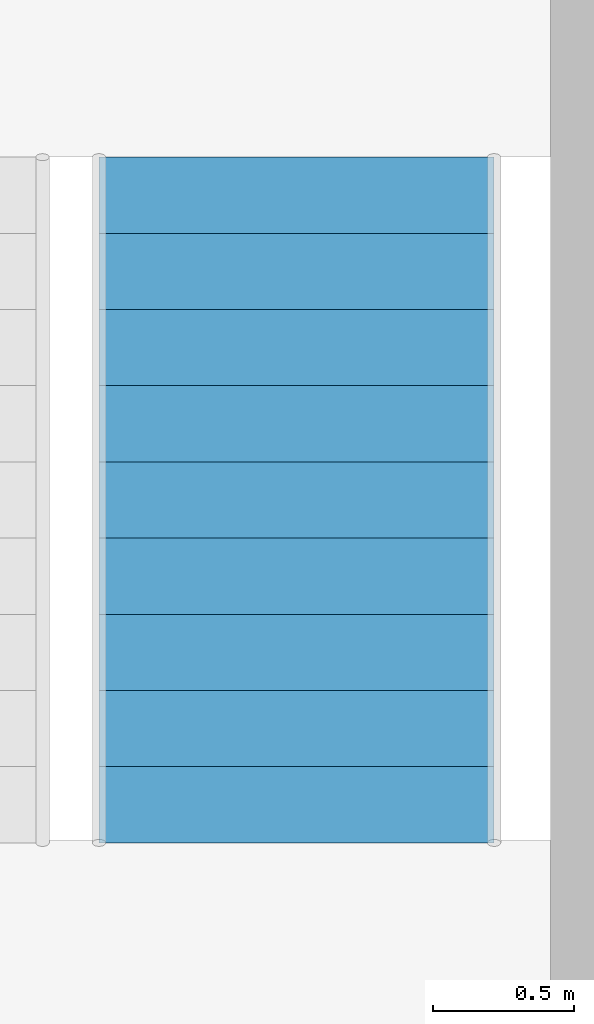
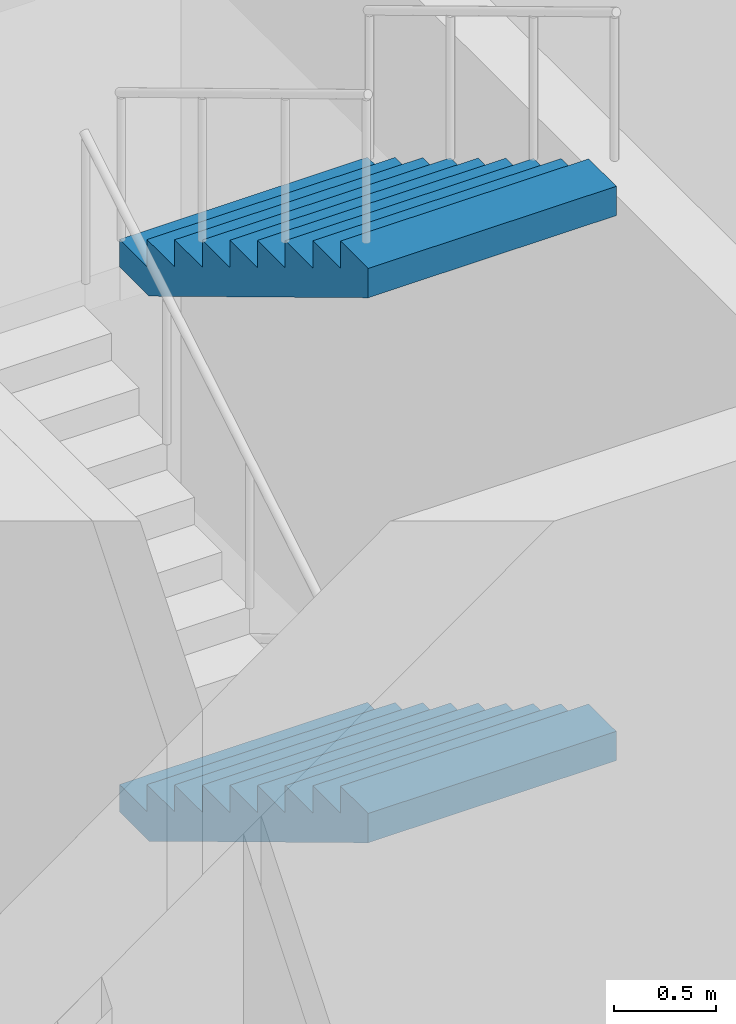
# One storey, part 12 of 16: 2 stair flights, 1 element without a shape of its own.
"""IFC4 building model written with IfcOpenShell, lengths in metres."""

from ifc_helpers import new_model, si_unit, direction, frame, origin, place, context, subcontext, project, spatial, polyline, outline, extrude, material, type_object, element, aggregate, save


model = new_model("IFC4")

# Units and contexts
model_context = context("Model", 3, precision=1e-05, world=origin(), true_north=direction((0.0, 1.0)))
body_context = subcontext(model_context, "Body", "Model", "MODEL_VIEW")
ifc_project = project(units=[si_unit("LENGTHUNIT", "METRE"), si_unit("AREAUNIT", "SQUARE_METRE"), si_unit("VOLUMEUNIT", "CUBIC_METRE"), si_unit("PLANEANGLEUNIT", "RADIAN"), si_unit("MASSUNIT", "GRAM", prefix="KILO")], contexts=[model_context])

# Site, building, storey
site_placement = place(None, origin())
site = spatial("IfcSite", under=ifc_project, at=site_placement, CompositionType="ELEMENT")
building_placement = place(site_placement, origin())
building = spatial("IfcBuilding", under=site, at=building_placement, Name="Calvaro Tower", CompositionType="ELEMENT")
storey_placement = place(building_placement, origin())
storey = spatial("IfcBuildingStorey", under=building, at=storey_placement, Name="L00", CompositionType="ELEMENT", Elevation=0.0)

# Stair, stair flights
ifc_material_1 = material(Name="Concrete C40/50", Category="concrete")
stair_type = type_object("IfcStairType", Name="Exit stair 1400 4 flights", PredefinedType="DOUBLE_RETURN_STAIR", material=ifc_material_1)
stair_placement = place(storey_placement, origin())
stair = element("IfcStair", 1, at=stair_placement, inside=storey, type_object=stair_type, Name="Exit stair S5", PredefinedType="DOUBLE_RETURN_STAIR")
ifc_material_2 = material(Name="Concrete C40/50", Category="concrete")
stair_flight_type = type_object("IfcStairFlightType", Name="Stair flight", PredefinedType="STRAIGHT", material=ifc_material_2)
stair_flight_1_placement = place(storey_placement, frame((63.300048828125, 32.330078125, 1.625), z_axis=(0.0, 0.0, 1.0), x_axis=(0.0, -1.0, 0.0)))
stair_flight_1 = element("IfcStairFlight", 2, at=stair_flight_1_placement, type_object=stair_flight_type, Name="Exit stair 5, flight 2", NumberOfRisers=10, NumberOfTreads=9, PredefinedType="STRAIGHT", RiserHeight=0.1625, TreadLength=0.27, context=body_context, shape_type="SweptSolid", body=[
    extrude(outline(polyline([(0.0, 0.0), (0.0, 0.16259765625), (0.27001953125, 0.16259765625), (0.27001953125, 0.324951171875), (0.5400390625, 0.324951171875), (0.5400390625, 0.487548828125), (0.81005859375, 0.487548828125), (0.81005859375, 0.64990234375), (1.080078125, 0.64990234375), (1.080078125, 0.8125), (1.35009765625, 0.8125), (1.35009765625, 0.97509765625), (1.6201171875, 0.97509765625), (1.6201171875, 1.137451171875), (1.889892578125, 1.137451171875), (1.889892578125, 1.300048828125), (2.159912109375, 1.300048828125), (2.159912109375, 1.46240234375), (2.429931640625, 1.46240234375), (2.429931640625, 1.625), (2.429931640625, 1.28759765625), (0.290771484375, 0.0), (0.0, 0.0)])), frame((0.0, 0.699951171875, 0.0), z_axis=(0.0, -1.0, 0.0), x_axis=(1.0, 0.0, 0.0)), (0.0, 0.0, 1.0), 1.39990234375),
])
stair_flight_2_placement = place(storey_placement, frame((63.300048828125, 32.330078125, 4.875), z_axis=(0.0, 0.0, 1.0), x_axis=(0.0, -1.0, 0.0)))
stair_flight_2 = element("IfcStairFlight", 3, at=stair_flight_2_placement, type_object=stair_flight_type, Name="Exit stair 5, flight 4", NumberOfRisers=10, NumberOfTreads=9, PredefinedType="STRAIGHT", RiserHeight=0.1625, TreadLength=0.27, context=body_context, shape_type="SweptSolid", body=[
    extrude(outline(polyline([(0.0, 0.0), (0.0, 0.16259765625), (0.27001953125, 0.16259765625), (0.27001953125, 0.324951171875), (0.5400390625, 0.324951171875), (0.5400390625, 0.487548828125), (0.81005859375, 0.487548828125), (0.81005859375, 0.64990234375), (1.080078125, 0.64990234375), (1.080078125, 0.8125), (1.35009765625, 0.8125), (1.35009765625, 0.97509765625), (1.6201171875, 0.97509765625), (1.6201171875, 1.137451171875), (1.889892578125, 1.137451171875), (1.889892578125, 1.300048828125), (2.159912109375, 1.300048828125), (2.159912109375, 1.46240234375), (2.429931640625, 1.46240234375), (2.429931640625, 1.625), (2.429931640625, 1.28759765625), (0.290771484375, 0.0), (0.0, 0.0)])), frame((0.0, 0.699951171875, 0.0), z_axis=(0.0, -1.0, 0.0), x_axis=(1.0, 0.0, 0.0)), (0.0, 0.0, 1.0), 1.39990234375),
])
aggregate(stair, [stair_flight_1, stair_flight_2])

save(model, "model.ifc")
